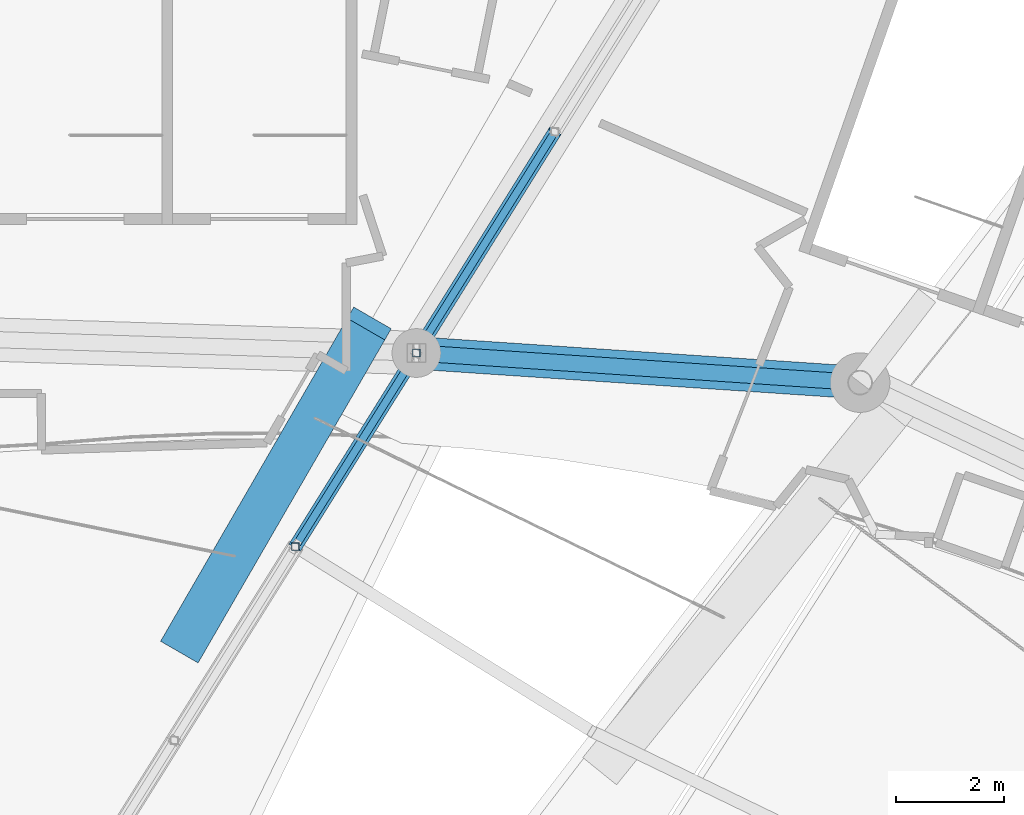
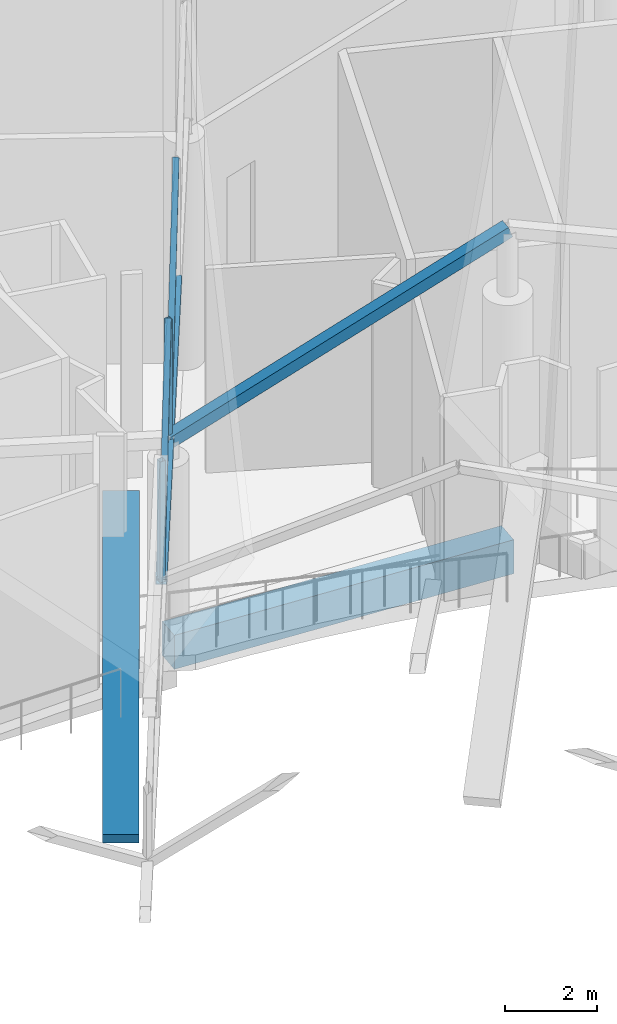
# One storey, part 201 of 344: 7 members, 2 beams.
"""IFC4 building model written with IfcOpenShell, lengths in metres."""

from ifc_helpers import new_model, si_unit, direction, frame, origin, origin_2d, place, context, subcontext, project, spatial, rectangle, hollow_rectangle, extrude, material, material_profile, profile_set, type_object, element, save


model = new_model("IFC4")

# Units and contexts
model_context = context("Model", 3, precision=1e-05, world=origin(), true_north=direction((0.0, 1.0)))
body_context = subcontext(model_context, "Body", "Model", "MODEL_VIEW")
ifc_project = project(units=[si_unit("LENGTHUNIT", "METRE"), si_unit("AREAUNIT", "SQUARE_METRE"), si_unit("VOLUMEUNIT", "CUBIC_METRE"), si_unit("PLANEANGLEUNIT", "RADIAN"), si_unit("MASSUNIT", "GRAM", prefix="KILO")], contexts=[model_context])

# Site, building, storey
site_placement = place(None, origin())
site = spatial("IfcSite", under=ifc_project, at=site_placement, CompositionType="ELEMENT")
building_placement = place(site_placement, origin())
building = spatial("IfcBuilding", under=site, at=building_placement, Name="Meseta Stadium", CompositionType="ELEMENT")
storey_placement = place(building_placement, frame((0.0, 0.0, 24.0)))
storey = spatial("IfcBuildingStorey", under=building, at=storey_placement, Name="L04", CompositionType="ELEMENT", Elevation=24.0)

# Beams
ifc_material_1 = material(Name="Concrete C40/50", Category="concrete")
ifc_material_profile_1 = material_profile(ifc_material_1, rectangle(XDim=0.60009765625, YDim=0.89990234375, at=origin_2d()), Name="RC 600x900")
ifc_profile_set_1 = profile_set([ifc_material_profile_1], Name="Concrete C40/50")
beam_type_1 = type_object("IfcBeamType", Name="RC beam 600x900", PredefinedType="BEAM", material=ifc_profile_set_1)
beam_1_placement = place(storey_placement, frame((54.523193359375, 89.579345703125, -0.85009765625), z_axis=(-0.997778045289, 0.066625613231, 0.0), x_axis=(-0.066625613231, -0.997778045289, 0.0)))
element("IfcBeam", 1, at=beam_1_placement, inside=storey, type_object=beam_type_1, Name="L04 ring beam frame 14 line P", PredefinedType="BEAM", context=body_context, shape_type="SweptSolid", body=[
    extrude(rectangle(XDim=0.60009765625, YDim=0.89990234375, at=origin_2d()), origin(), (0.0, 0.0, 1.0), 8.208251953125),
])
ifc_material_2 = material(Name="Concrete C40/50", Category="concrete")
ifc_material_profile_2 = material_profile(ifc_material_2, rectangle(XDim=0.800048828125, YDim=0.449951171875, at=origin_2d()), Name="RC 800x450")
ifc_profile_set_2 = profile_set([ifc_material_profile_2], Name="Concrete C40/50")
beam_type_2 = type_object("IfcBeamType", Name="RC raker upper rear 800x450", PredefinedType="USERDEFINED", material=ifc_profile_set_2)
beam_2_placement = place(storey_placement, frame((42.015380859375, 84.707275390625, -1.177001953125), z_axis=(0.424672671023, 0.734687631023, 0.529043672401), x_axis=(-0.865769864994, 0.5004423452, 0.0)))
element("IfcBeam", 2, at=beam_2_placement, inside=storey, type_object=beam_type_2, Name="Raker upper rear frame 15 upper tier", ObjectType="RAKER", PredefinedType="USERDEFINED", context=body_context, shape_type="SweptSolid", body=[
    extrude(rectangle(XDim=0.800048828125, YDim=0.449951171875, at=origin_2d()), origin(), (0.0, 0.0, 1.0), 8.116943359375),
])

# Members
ifc_material_3 = material(Name="Steel S355", Category="steel")
ifc_material_profile_3 = material_profile(ifc_material_3, hollow_rectangle(XDim=0.139892578125, YDim=0.139892578125, WallThickness=0.0048828125, at=origin_2d()), Name="SHS 140x140x5")
ifc_profile_set_3 = profile_set([ifc_material_profile_3], Name="Steel S355")
member_type_1 = type_object("IfcMemberType", Name="SHS 140x140x5 diagonal", PredefinedType="BRACE", material=ifc_profile_set_3)
member_1_placement = place(storey_placement, frame((44.09716796875, 86.551025390625, 3.819580078125), z_axis=(0.385688698076, 0.616663969278, 0.686272378266), x_axis=(-0.847829126423, 0.53026952806, 0.0)))
element("IfcMember", 3, at=member_1_placement, inside=storey, type_object=member_type_1, Name="ROOF TRUSS RT-15 diagonal", PredefinedType="BRACE", context=body_context, shape_type="SweptSolid", body=[
    extrude(hollow_rectangle(XDim=0.139892578125, YDim=0.139892578125, WallThickness=0.0048828125, at=origin_2d()), origin(), (0.0, 0.0, 1.0), 5.797607421875),
])
member_2_placement = place(storey_placement, frame((46.333251953125, 90.126220703125, 4.598388671875), z_axis=(0.404187576532, 0.646329201819, 0.647217865833), x_axis=(-0.847861596685, 0.530217608974, 0.0)))
element("IfcMember", 4, at=member_2_placement, inside=storey, type_object=member_type_1, Name="ROOF TRUSS RT-15 diagonal", PredefinedType="BRACE", context=body_context, shape_type="SweptSolid", body=[
    extrude(hollow_rectangle(XDim=0.139892578125, YDim=0.139892578125, WallThickness=0.0048828125, at=origin_2d()), origin(), (0.0, 0.0, 1.0), 6.31884765625),
])
ifc_material_4 = material(Name="Steel S355", Category="steel")
ifc_material_profile_4 = material_profile(ifc_material_4, hollow_rectangle(XDim=0.139892578125, YDim=0.139892578125, WallThickness=0.0048828125, at=origin_2d()), Name="SHS 140x140x5")
ifc_profile_set_4 = profile_set([ifc_material_profile_4], Name="Steel S355")
member_type_2 = type_object("IfcMemberType", Name="SHS 140x140x5 post", PredefinedType="POST", material=ifc_profile_set_4)
for number, where, z_axis, x_axis, name in (
    (5, (44.09716796875, 86.551025390625, 3.819580078125), (0.0, 0.0, 1.0), (1.0, 0.0, 0.0), "ROOF TRUSS RT-15 post"),
    (6, (46.333251953125, 90.126220703125, 4.598388671875), (0.0, 0.0, 1.0), (1.0, 0.0, 0.0), "ROOF TRUSS RT-15 post"),
):
    element("IfcMember", number, at=place(storey_placement, frame(where, z_axis=z_axis, x_axis=x_axis)), inside=storey, type_object=member_type_2, Name=name, PredefinedType="POST", context=body_context, shape_type="SweptSolid", body=[
        extrude(hollow_rectangle(XDim=0.139892578125, YDim=0.139892578125, WallThickness=0.0048828125, at=origin_2d()), origin(), (0.0, 0.0, 1.0), 3.199951171875),
    ])
ifc_material_5 = material(Name="Steel S355", Category="steel")
ifc_material_profile_5 = material_profile(ifc_material_5, hollow_rectangle(XDim=0.25, YDim=0.25, WallThickness=0.010009765625, at=origin_2d()), Name="SHS 250x250x10")
ifc_profile_set_5 = profile_set([ifc_material_profile_5], Name="Steel S355")
member_type_3 = type_object("IfcMemberType", Name="SHS 250x250x10 bottom chord", PredefinedType="CHORD", material=ifc_profile_set_5)
member_3_placement = place(storey_placement, frame((44.09716796875, 86.551025390625, 3.819580078125), z_axis=(0.521450818859, 0.833729205304, 0.181616782636), x_axis=(-0.847829126423, 0.53026952806, 0.0)))
element("IfcMember", 7, at=member_3_placement, inside=storey, type_object=member_type_3, Name="ROOF TRUSS RT-15 bottom chord", PredefinedType="CHORD", context=body_context, shape_type="SweptSolid", body=[
    extrude(hollow_rectangle(XDim=0.25, YDim=0.25, WallThickness=0.010009765625, at=origin_2d()), origin(), (0.0, 0.0, 1.0), 4.2880859375),
])
member_4_placement = place(storey_placement, frame((46.333251953125, 90.126220703125, 4.598388671875), z_axis=(0.521398970467, 0.833759867888, 0.181624877964), x_axis=(-0.847861596685, 0.530217608974, 0.0)))
element("IfcMember", 8, at=member_4_placement, inside=storey, type_object=member_type_3, Name="ROOF TRUSS RT-15 bottom chord", PredefinedType="CHORD", context=body_context, shape_type="SweptSolid", body=[
    extrude(hollow_rectangle(XDim=0.25, YDim=0.25, WallThickness=0.010009765625, at=origin_2d()), origin(), (0.0, 0.0, 1.0), 4.898193359375),
])
ifc_material_6 = material(Name="Steel S355", Category="steel")
ifc_material_profile_6 = material_profile(ifc_material_6, hollow_rectangle(XDim=0.300048828125, YDim=0.300048828125, WallThickness=0.010009765625, at=origin_2d()), Name="SHS 300x300x10")
ifc_profile_set_6 = profile_set([ifc_material_profile_6], Name="Steel S355")
member_type_4 = type_object("IfcMemberType", Name="SHS 300x300x10 pivot strut", PredefinedType="STRUT", material=ifc_profile_set_6)
member_5_placement = place(storey_placement, frame((54.523193359375, 89.579345703125, 7.65380859375), z_axis=(-0.935094192604, 0.06243996278, -0.348855417052), x_axis=(-0.066625613231, -0.997778045289, 0.0)))
element("IfcMember", 9, at=member_5_placement, inside=storey, type_object=member_type_4, Name="ROOF PIVOT STRUT RT-14/15", PredefinedType="STRUT", context=body_context, shape_type="SweptSolid", body=[
    extrude(hollow_rectangle(XDim=0.300048828125, YDim=0.300048828125, WallThickness=0.010009765625, at=origin_2d()), origin(), (0.0, 0.0, 1.0), 8.75830078125),
])

save(model, "model.ifc")
